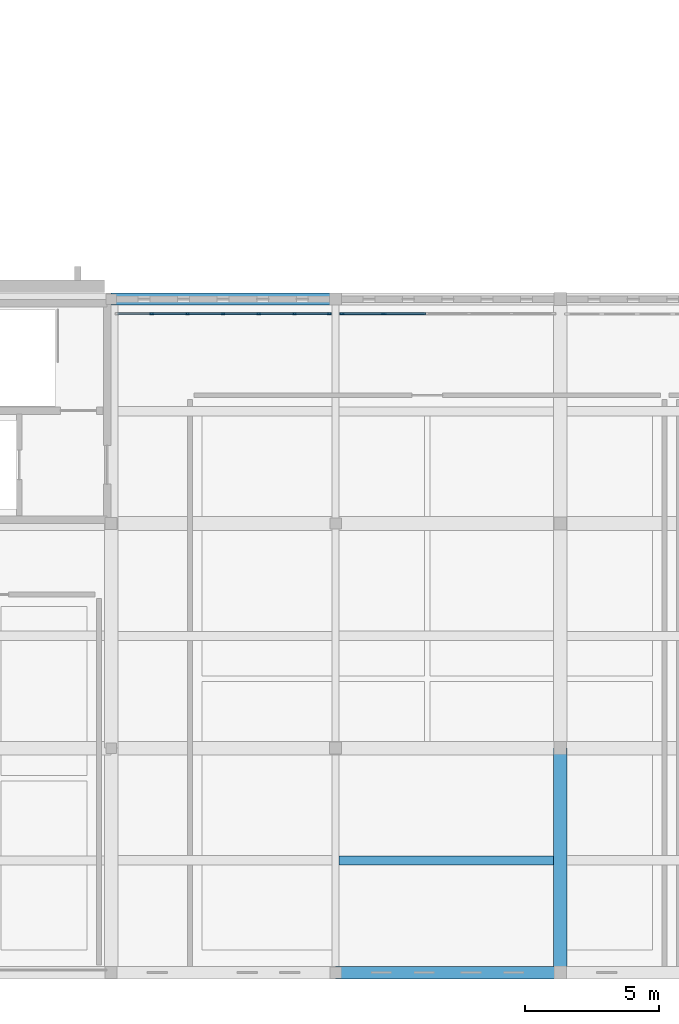
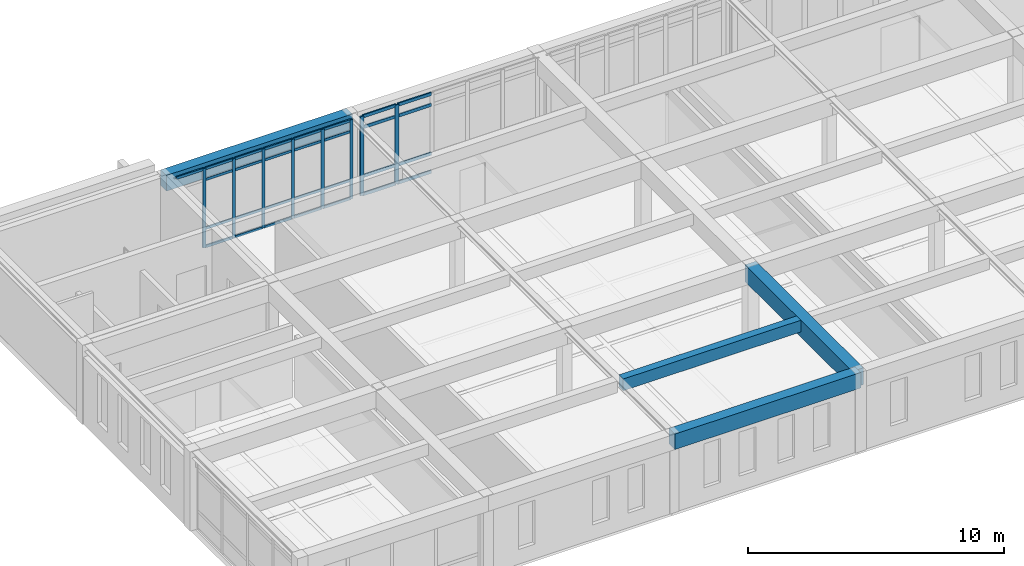
# One storey, part 15 of 110: 37 members, 4 beams, 2 elements without a shape of their own.
"""IFC4 building model written with IfcOpenShell, lengths in metres."""

from ifc_helpers import new_model, si_unit, direction, frame, origin, origin_2d, place, context, subcontext, project, spatial, rectangle, extrude, material, layer, layer_set, material_profile, profile_set, type_object, element, aggregate, save


model = new_model("IFC4")

# Units and contexts
model_context = context("Model", 3, precision=1e-05, world=origin(), true_north=direction((0.0, 1.0)))
body_context = subcontext(model_context, "Body", "Model", "MODEL_VIEW")
ifc_project = project(units=[si_unit("LENGTHUNIT", "METRE"), si_unit("AREAUNIT", "SQUARE_METRE"), si_unit("VOLUMEUNIT", "CUBIC_METRE"), si_unit("PLANEANGLEUNIT", "RADIAN"), si_unit("MASSUNIT", "GRAM", prefix="KILO")], contexts=[model_context])

# Site, building, storey
site_placement = place(None, origin())
site = spatial("IfcSite", under=ifc_project, at=site_placement, CompositionType="ELEMENT")
building_placement = place(site_placement, origin())
building = spatial("IfcBuilding", under=site, at=building_placement, Name="Kveldsbrygga Polytechnic", CompositionType="ELEMENT")
storey_placement = place(building_placement, frame((0.0, 0.0, 9.860107421875)))
storey = spatial("IfcBuildingStorey", under=building, at=storey_placement, Name="L02", CompositionType="ELEMENT", Elevation=9.860107421875)

# Beams
ifc_material_1 = material(Name="Concrete C35/45", Category="concrete")
ifc_material_profile_1 = material_profile(ifc_material_1, rectangle(XDim=0.449951171875, YDim=0.75, at=origin_2d()), Name="RC 450x750")
ifc_profile_set_1 = profile_set([ifc_material_profile_1], Name="Concrete C35/45")
beam_type_1 = type_object("IfcBeamType", Name="BM-RC-450x750", PredefinedType="BEAM", material=ifc_profile_set_1)
beam_1_placement = place(storey_placement, frame((84.0, 25.199951171875, 3.385009765625), z_axis=(1.0, 0.0, 0.0), x_axis=(0.0, 1.0, 0.0)))
element("IfcBeam", 1, at=beam_1_placement, inside=storey, type_object=beam_type_1, Name="Primary Beam BMX-L02-10to11-03", PredefinedType="BEAM", context=body_context, shape_type="SweptSolid", body=[
    extrude(rectangle(XDim=0.449951171875, YDim=0.75, at=origin_2d()), origin(), (0.0, 0.0, 1.0), 8.39990234375),
])
ifc_material_profile_2 = material_profile(ifc_material_1, rectangle(XDim=0.4599609375, YDim=0.739990234375, at=origin_2d()), Name="RC 460x740")
ifc_profile_set_2 = profile_set([ifc_material_profile_2], Name="Concrete C35/45")
beam_type_2 = type_object("IfcBeamType", Name="BM-RC-460x740", PredefinedType="BEAM", material=ifc_profile_set_2)
beam_2_placement = place(storey_placement, frame((92.39990234375, 0.0, 3.389892578125), z_axis=(1.0, 0.0, 0.0), x_axis=(0.0, 1.0, 0.0)))
element("IfcBeam", 2, at=beam_2_placement, inside=storey, type_object=beam_type_2, Name="Primary Beam BMX-L02-11to12-00", PredefinedType="BEAM", context=body_context, shape_type="SweptSolid", body=[
    extrude(rectangle(XDim=0.4599609375, YDim=0.739990234375, at=origin_2d()), origin(), (0.0, 0.0, 1.0), 8.400146484375),
])
ifc_material_profile_3 = material_profile(ifc_material_1, rectangle(XDim=0.5, YDim=0.800048828125, at=origin_2d()), Name="RC 500x800")
ifc_profile_set_3 = profile_set([ifc_material_profile_3], Name="Concrete C35/45")
beam_type_3 = type_object("IfcBeamType", Name="BM-RC-500x800", PredefinedType="BEAM", material=ifc_profile_set_3)
beam_3_placement = place(storey_placement, frame((100.800048828125, 0.0, 3.35986328125), z_axis=(0.0, 1.0, 0.0), x_axis=(-1.0, 0.0, 0.0)))
element("IfcBeam", 3, at=beam_3_placement, inside=storey, type_object=beam_type_3, Name="Primary Beam BMY-L02-12-00to01", PredefinedType="BEAM", context=body_context, shape_type="SweptSolid", body=[
    extrude(rectangle(XDim=0.5, YDim=0.800048828125, at=origin_2d()), origin(), (0.0, 0.0, 1.0), 8.39990234375),
])

# Curtain wall, members
ifc_material_2 = material(Name="Anodised aluminium AW-6060", Category="aluminium")
ifc_layer_1 = layer(ifc_material_2, 0.179931640625)
ifc_layer_set_1 = layer_set([ifc_layer_1], Name="Anodised aluminium AW-6060")
curtain_wall_type_1 = type_object("IfcCurtainWallType", Name="CW-CONC-A", PredefinedType="USERDEFINED", material=ifc_layer_set_1)
curtain_wall_1_placement = place(storey_placement, origin())
curtain_wall_1 = element("IfcCurtainWall", 4, at=curtain_wall_1_placement, inside=storey, type_object=curtain_wall_type_1, Name="Curtain Wall CW-L02-X-10-03", ObjectType="UNITISED CURTAIN WALL", PredefinedType="USERDEFINED")
ifc_material_profile_4 = material_profile(ifc_material_2, rectangle(XDim=0.06005859375, YDim=0.139892578125, at=origin_2d()), Name="ALU 60x140")
ifc_profile_set_4 = profile_set([ifc_material_profile_4], Name="Anodised aluminium AW-6060")
member_type_1 = type_object("IfcMemberType", Name="CW-MUL-140", PredefinedType="MULLION", material=ifc_profile_set_4)
member_1_placement = place(storey_placement, frame((85.519287109375, 24.64990234375, 0.0), z_axis=(0.0, 0.0, 1.0), x_axis=(0.0, 1.0, 0.0)))
member_1 = element("IfcMember", 5, at=member_1_placement, type_object=member_type_1, Name="CW-01 mullion 2", PredefinedType="MULLION", context=body_context, shape_type="SweptSolid", body=[
    extrude(rectangle(XDim=0.06005859375, YDim=0.139892578125, at=origin_2d()), origin(), (0.0, 0.0, 1.0), 3.77978515625),
])
member_2_placement = place(storey_placement, frame((86.853271484375, 24.64990234375, 0.0), z_axis=(0.0, 0.0, 1.0), x_axis=(0.0, 1.0, 0.0)))
member_2 = element("IfcMember", 6, at=member_2_placement, type_object=member_type_1, Name="CW-01 mullion 3", PredefinedType="MULLION", context=body_context, shape_type="SweptSolid", body=[
    extrude(rectangle(XDim=0.06005859375, YDim=0.139892578125, at=origin_2d()), origin(), (0.0, 0.0, 1.0), 3.77978515625),
])
member_3_placement = place(storey_placement, frame((88.1875, 24.64990234375, 0.0), z_axis=(0.0, 0.0, 1.0), x_axis=(0.0, 1.0, 0.0)))
member_3 = element("IfcMember", 7, at=member_3_placement, type_object=member_type_1, Name="CW-01 mullion 4", PredefinedType="MULLION", context=body_context, shape_type="SweptSolid", body=[
    extrude(rectangle(XDim=0.06005859375, YDim=0.139892578125, at=origin_2d()), origin(), (0.0, 0.0, 1.0), 3.77978515625),
])
member_4_placement = place(storey_placement, frame((89.521728515625, 24.64990234375, 0.0), z_axis=(0.0, 0.0, 1.0), x_axis=(0.0, 1.0, 0.0)))
member_4 = element("IfcMember", 8, at=member_4_placement, type_object=member_type_1, Name="CW-01 mullion 5", PredefinedType="MULLION", context=body_context, shape_type="SweptSolid", body=[
    extrude(rectangle(XDim=0.06005859375, YDim=0.139892578125, at=origin_2d()), origin(), (0.0, 0.0, 1.0), 3.77978515625),
])
member_5_placement = place(storey_placement, frame((90.855712890625, 24.64990234375, 0.0), z_axis=(0.0, 0.0, 1.0), x_axis=(0.0, 1.0, 0.0)))
member_5 = element("IfcMember", 9, at=member_5_placement, type_object=member_type_1, Name="CW-01 mullion 6", PredefinedType="MULLION", context=body_context, shape_type="SweptSolid", body=[
    extrude(rectangle(XDim=0.06005859375, YDim=0.139892578125, at=origin_2d()), origin(), (0.0, 0.0, 1.0), 3.77978515625),
])
member_6_placement = place(storey_placement, frame((92.159912109375, 24.64990234375, 0.0), z_axis=(0.0, 0.0, 1.0), x_axis=(0.0, 1.0, 0.0)))
member_6 = element("IfcMember", 10, at=member_6_placement, type_object=member_type_1, Name="CW-01 mullion 7", PredefinedType="MULLION", context=body_context, shape_type="SweptSolid", body=[
    extrude(rectangle(XDim=0.06005859375, YDim=0.139892578125, at=origin_2d()), origin(), (0.0, 0.0, 1.0), 3.77978515625),
])

ifc_layer_2 = layer(ifc_material_2, 0.199951171875)
ifc_layer_set_2 = layer_set([ifc_layer_2], Name="Anodised aluminium AW-6060")
curtain_wall_type_2 = type_object("IfcCurtainWallType", Name="CW-CONC-B", PredefinedType="USERDEFINED", material=ifc_layer_set_2)
curtain_wall_2_placement = place(storey_placement, origin())
curtain_wall_2 = element("IfcCurtainWall", 11, at=curtain_wall_2_placement, inside=storey, type_object=curtain_wall_type_2, Name="Curtain Wall CW-L02-X-11-03", ObjectType="UNITISED CURTAIN WALL", PredefinedType="USERDEFINED")
ifc_material_profile_5 = material_profile(ifc_material_2, rectangle(XDim=0.06005859375, YDim=0.179931640625, at=origin_2d()), Name="ALU 60x180")
ifc_profile_set_5 = profile_set([ifc_material_profile_5], Name="Anodised aluminium AW-6060")
member_type_2 = type_object("IfcMemberType", Name="CW-MUL-180", PredefinedType="MULLION", material=ifc_profile_set_5)
member_7_placement = place(storey_placement, frame((92.639892578125, 24.64990234375, 0.0), z_axis=(0.0, 0.0, 1.0), x_axis=(0.0, 1.0, 0.0)))
member_7 = element("IfcMember", 12, at=member_7_placement, type_object=member_type_2, Name="CW-02 mullion 1", PredefinedType="MULLION", context=body_context, shape_type="SweptSolid", body=[
    extrude(rectangle(XDim=0.06005859375, YDim=0.179931640625, at=origin_2d()), origin(), (0.0, 0.0, 1.0), 3.77978515625),
])
member_8_placement = place(storey_placement, frame((94.202880859375, 24.64990234375, 0.0), z_axis=(0.0, 0.0, 1.0), x_axis=(0.0, 1.0, 0.0)))
member_8 = element("IfcMember", 13, at=member_8_placement, type_object=member_type_2, Name="CW-02 mullion 2", PredefinedType="MULLION", context=body_context, shape_type="SweptSolid", body=[
    extrude(rectangle(XDim=0.06005859375, YDim=0.179931640625, at=origin_2d()), origin(), (0.0, 0.0, 1.0), 3.77978515625),
])

# Member
ifc_material_profile_6 = material_profile(ifc_material_2, rectangle(XDim=0.06005859375, YDim=0.1201171875, at=origin_2d()), Name="ALU 60x120")
ifc_profile_set_6 = profile_set([ifc_material_profile_6], Name="Anodised aluminium AW-6060")
member_type_3 = type_object("IfcMemberType", Name="CW-TRN-120", PredefinedType="USERDEFINED", material=ifc_profile_set_6)
member_9_placement = place(storey_placement, frame((84.2451171875, 24.64990234375, 3.75), z_axis=(1.0, 0.0, 0.0), x_axis=(0.0, 1.0, 0.0)))
member_9 = element("IfcMember", 14, at=member_9_placement, type_object=member_type_3, Name="CW-01 transom 1.4", ObjectType="TRANSOM", PredefinedType="USERDEFINED", context=body_context, shape_type="SweptSolid", body=[
    extrude(rectangle(XDim=0.06005859375, YDim=0.1201171875, at=origin_2d()), origin(), (0.0, 0.0, 1.0), 1.244140625),
])

member_10_placement = place(storey_placement, frame((85.549072265625, 24.64990234375, 0.02978515625), z_axis=(1.0, 0.0, 0.0), x_axis=(0.0, 1.0, 0.0)))
member_10 = element("IfcMember", 15, at=member_10_placement, type_object=member_type_3, Name="CW-01 transom 2.1", ObjectType="TRANSOM", PredefinedType="USERDEFINED", context=body_context, shape_type="SweptSolid", body=[
    extrude(rectangle(XDim=0.06005859375, YDim=0.1201171875, at=origin_2d()), origin(), (0.0, 0.0, 1.0), 1.274169921875),
])

member_11_placement = place(storey_placement, frame((85.549072265625, 24.64990234375, 0.89990234375), z_axis=(1.0, 0.0, 0.0), x_axis=(0.0, 1.0, 0.0)))
member_11 = element("IfcMember", 16, at=member_11_placement, type_object=member_type_3, Name="CW-01 transom 2.2", ObjectType="TRANSOM", PredefinedType="USERDEFINED", context=body_context, shape_type="SweptSolid", body=[
    extrude(rectangle(XDim=0.06005859375, YDim=0.1201171875, at=origin_2d()), origin(), (0.0, 0.0, 1.0), 1.274169921875),
])

member_12_placement = place(storey_placement, frame((85.549072265625, 24.64990234375, 3.22998046875), z_axis=(1.0, 0.0, 0.0), x_axis=(0.0, 1.0, 0.0)))
member_12 = element("IfcMember", 17, at=member_12_placement, type_object=member_type_3, Name="CW-01 transom 2.3", ObjectType="TRANSOM", PredefinedType="USERDEFINED", context=body_context, shape_type="SweptSolid", body=[
    extrude(rectangle(XDim=0.06005859375, YDim=0.1201171875, at=origin_2d()), origin(), (0.0, 0.0, 1.0), 1.274169921875),
])

member_13_placement = place(storey_placement, frame((85.549072265625, 24.64990234375, 3.75), z_axis=(1.0, 0.0, 0.0), x_axis=(0.0, 1.0, 0.0)))
member_13 = element("IfcMember", 18, at=member_13_placement, type_object=member_type_3, Name="CW-01 transom 2.4", ObjectType="TRANSOM", PredefinedType="USERDEFINED", context=body_context, shape_type="SweptSolid", body=[
    extrude(rectangle(XDim=0.06005859375, YDim=0.1201171875, at=origin_2d()), origin(), (0.0, 0.0, 1.0), 1.274169921875),
])

member_14_placement = place(storey_placement, frame((86.88330078125, 24.64990234375, 0.02978515625), z_axis=(1.0, 0.0, 0.0), x_axis=(0.0, 1.0, 0.0)))
member_14 = element("IfcMember", 19, at=member_14_placement, type_object=member_type_3, Name="CW-01 transom 3.1", ObjectType="TRANSOM", PredefinedType="USERDEFINED", context=body_context, shape_type="SweptSolid", body=[
    extrude(rectangle(XDim=0.06005859375, YDim=0.1201171875, at=origin_2d()), origin(), (0.0, 0.0, 1.0), 1.274169921875),
])

member_15_placement = place(storey_placement, frame((86.88330078125, 24.64990234375, 0.89990234375), z_axis=(1.0, 0.0, 0.0), x_axis=(0.0, 1.0, 0.0)))
member_15 = element("IfcMember", 20, at=member_15_placement, type_object=member_type_3, Name="CW-01 transom 3.2", ObjectType="TRANSOM", PredefinedType="USERDEFINED", context=body_context, shape_type="SweptSolid", body=[
    extrude(rectangle(XDim=0.06005859375, YDim=0.1201171875, at=origin_2d()), origin(), (0.0, 0.0, 1.0), 1.274169921875),
])

member_16_placement = place(storey_placement, frame((86.88330078125, 24.64990234375, 3.22998046875), z_axis=(1.0, 0.0, 0.0), x_axis=(0.0, 1.0, 0.0)))
member_16 = element("IfcMember", 21, at=member_16_placement, type_object=member_type_3, Name="CW-01 transom 3.3", ObjectType="TRANSOM", PredefinedType="USERDEFINED", context=body_context, shape_type="SweptSolid", body=[
    extrude(rectangle(XDim=0.06005859375, YDim=0.1201171875, at=origin_2d()), origin(), (0.0, 0.0, 1.0), 1.274169921875),
])

member_17_placement = place(storey_placement, frame((86.88330078125, 24.64990234375, 3.75), z_axis=(1.0, 0.0, 0.0), x_axis=(0.0, 1.0, 0.0)))
member_17 = element("IfcMember", 22, at=member_17_placement, type_object=member_type_3, Name="CW-01 transom 3.4", ObjectType="TRANSOM", PredefinedType="USERDEFINED", context=body_context, shape_type="SweptSolid", body=[
    extrude(rectangle(XDim=0.06005859375, YDim=0.1201171875, at=origin_2d()), origin(), (0.0, 0.0, 1.0), 1.274169921875),
])

member_18_placement = place(storey_placement, frame((88.217529296875, 24.64990234375, 0.02978515625), z_axis=(1.0, 0.0, 0.0), x_axis=(0.0, 1.0, 0.0)))
member_18 = element("IfcMember", 23, at=member_18_placement, type_object=member_type_3, Name="CW-01 transom 4.1", ObjectType="TRANSOM", PredefinedType="USERDEFINED", context=body_context, shape_type="SweptSolid", body=[
    extrude(rectangle(XDim=0.06005859375, YDim=0.1201171875, at=origin_2d()), origin(), (0.0, 0.0, 1.0), 1.274169921875),
])

member_19_placement = place(storey_placement, frame((88.217529296875, 24.64990234375, 0.89990234375), z_axis=(1.0, 0.0, 0.0), x_axis=(0.0, 1.0, 0.0)))
member_19 = element("IfcMember", 24, at=member_19_placement, type_object=member_type_3, Name="CW-01 transom 4.2", ObjectType="TRANSOM", PredefinedType="USERDEFINED", context=body_context, shape_type="SweptSolid", body=[
    extrude(rectangle(XDim=0.06005859375, YDim=0.1201171875, at=origin_2d()), origin(), (0.0, 0.0, 1.0), 1.274169921875),
])

member_20_placement = place(storey_placement, frame((88.217529296875, 24.64990234375, 3.22998046875), z_axis=(1.0, 0.0, 0.0), x_axis=(0.0, 1.0, 0.0)))
member_20 = element("IfcMember", 25, at=member_20_placement, type_object=member_type_3, Name="CW-01 transom 4.3", ObjectType="TRANSOM", PredefinedType="USERDEFINED", context=body_context, shape_type="SweptSolid", body=[
    extrude(rectangle(XDim=0.06005859375, YDim=0.1201171875, at=origin_2d()), origin(), (0.0, 0.0, 1.0), 1.274169921875),
])

member_21_placement = place(storey_placement, frame((88.217529296875, 24.64990234375, 3.75), z_axis=(1.0, 0.0, 0.0), x_axis=(0.0, 1.0, 0.0)))
member_21 = element("IfcMember", 26, at=member_21_placement, type_object=member_type_3, Name="CW-01 transom 4.4", ObjectType="TRANSOM", PredefinedType="USERDEFINED", context=body_context, shape_type="SweptSolid", body=[
    extrude(rectangle(XDim=0.06005859375, YDim=0.1201171875, at=origin_2d()), origin(), (0.0, 0.0, 1.0), 1.274169921875),
])

member_22_placement = place(storey_placement, frame((89.5517578125, 24.64990234375, 0.02978515625), z_axis=(1.0, 0.0, 0.0), x_axis=(0.0, 1.0, 0.0)))
member_22 = element("IfcMember", 27, at=member_22_placement, type_object=member_type_3, Name="CW-01 transom 5.1", ObjectType="TRANSOM", PredefinedType="USERDEFINED", context=body_context, shape_type="SweptSolid", body=[
    extrude(rectangle(XDim=0.06005859375, YDim=0.1201171875, at=origin_2d()), origin(), (0.0, 0.0, 1.0), 1.274169921875),
])

member_23_placement = place(storey_placement, frame((89.5517578125, 24.64990234375, 0.89990234375), z_axis=(1.0, 0.0, 0.0), x_axis=(0.0, 1.0, 0.0)))
member_23 = element("IfcMember", 28, at=member_23_placement, type_object=member_type_3, Name="CW-01 transom 5.2", ObjectType="TRANSOM", PredefinedType="USERDEFINED", context=body_context, shape_type="SweptSolid", body=[
    extrude(rectangle(XDim=0.06005859375, YDim=0.1201171875, at=origin_2d()), origin(), (0.0, 0.0, 1.0), 1.274169921875),
])

member_24_placement = place(storey_placement, frame((89.5517578125, 24.64990234375, 3.22998046875), z_axis=(1.0, 0.0, 0.0), x_axis=(0.0, 1.0, 0.0)))
member_24 = element("IfcMember", 29, at=member_24_placement, type_object=member_type_3, Name="CW-01 transom 5.3", ObjectType="TRANSOM", PredefinedType="USERDEFINED", context=body_context, shape_type="SweptSolid", body=[
    extrude(rectangle(XDim=0.06005859375, YDim=0.1201171875, at=origin_2d()), origin(), (0.0, 0.0, 1.0), 1.274169921875),
])

member_25_placement = place(storey_placement, frame((89.5517578125, 24.64990234375, 3.75), z_axis=(1.0, 0.0, 0.0), x_axis=(0.0, 1.0, 0.0)))
member_25 = element("IfcMember", 30, at=member_25_placement, type_object=member_type_3, Name="CW-01 transom 5.4", ObjectType="TRANSOM", PredefinedType="USERDEFINED", context=body_context, shape_type="SweptSolid", body=[
    extrude(rectangle(XDim=0.06005859375, YDim=0.1201171875, at=origin_2d()), origin(), (0.0, 0.0, 1.0), 1.274169921875),
])

member_26_placement = place(storey_placement, frame((90.8857421875, 24.64990234375, 0.02978515625), z_axis=(1.0, 0.0, 0.0), x_axis=(0.0, 1.0, 0.0)))
member_26 = element("IfcMember", 31, at=member_26_placement, type_object=member_type_3, Name="CW-01 transom 6.1", ObjectType="TRANSOM", PredefinedType="USERDEFINED", context=body_context, shape_type="SweptSolid", body=[
    extrude(rectangle(XDim=0.06005859375, YDim=0.1201171875, at=origin_2d()), origin(), (0.0, 0.0, 1.0), 1.244140625),
])

member_27_placement = place(storey_placement, frame((90.8857421875, 24.64990234375, 0.89990234375), z_axis=(1.0, 0.0, 0.0), x_axis=(0.0, 1.0, 0.0)))
member_27 = element("IfcMember", 32, at=member_27_placement, type_object=member_type_3, Name="CW-01 transom 6.2", ObjectType="TRANSOM", PredefinedType="USERDEFINED", context=body_context, shape_type="SweptSolid", body=[
    extrude(rectangle(XDim=0.06005859375, YDim=0.1201171875, at=origin_2d()), origin(), (0.0, 0.0, 1.0), 1.244140625),
])

member_28_placement = place(storey_placement, frame((90.8857421875, 24.64990234375, 3.22998046875), z_axis=(1.0, 0.0, 0.0), x_axis=(0.0, 1.0, 0.0)))
member_28 = element("IfcMember", 33, at=member_28_placement, type_object=member_type_3, Name="CW-01 transom 6.3", ObjectType="TRANSOM", PredefinedType="USERDEFINED", context=body_context, shape_type="SweptSolid", body=[
    extrude(rectangle(XDim=0.06005859375, YDim=0.1201171875, at=origin_2d()), origin(), (0.0, 0.0, 1.0), 1.244140625),
])

member_29_placement = place(storey_placement, frame((90.8857421875, 24.64990234375, 3.75), z_axis=(1.0, 0.0, 0.0), x_axis=(0.0, 1.0, 0.0)))
member_29 = element("IfcMember", 34, at=member_29_placement, type_object=member_type_3, Name="CW-01 transom 6.4", ObjectType="TRANSOM", PredefinedType="USERDEFINED", context=body_context, shape_type="SweptSolid", body=[
    extrude(rectangle(XDim=0.06005859375, YDim=0.1201171875, at=origin_2d()), origin(), (0.0, 0.0, 1.0), 1.244140625),
])

aggregate(curtain_wall_1, [member_1, member_2, member_3, member_4, member_5, member_6, member_9, member_10, member_11, member_12, member_13, member_14, member_15, member_16, member_17, member_18, member_19, member_20, member_21, member_22, member_23, member_24, member_25, member_26, member_27, member_28, member_29])

ifc_material_profile_7 = material_profile(ifc_material_2, rectangle(XDim=0.06005859375, YDim=0.14990234375, at=origin_2d()), Name="ALU 60x150")
ifc_profile_set_7 = profile_set([ifc_material_profile_7], Name="Anodised aluminium AW-6060")
member_type_4 = type_object("IfcMemberType", Name="CW-TRN-150", PredefinedType="USERDEFINED", material=ifc_profile_set_7)
member_30_placement = place(storey_placement, frame((92.669921875, 24.64990234375, 0.02978515625), z_axis=(1.0, 0.0, 0.0), x_axis=(0.0, 1.0, 0.0)))
member_30 = element("IfcMember", 35, at=member_30_placement, type_object=member_type_4, Name="CW-02 transom 1.1", ObjectType="TRANSOM", PredefinedType="USERDEFINED", context=body_context, shape_type="SweptSolid", body=[
    extrude(rectangle(XDim=0.06005859375, YDim=0.14990234375, at=origin_2d()), origin(), (0.0, 0.0, 1.0), 1.503173828125),
])

member_31_placement = place(storey_placement, frame((92.669921875, 24.64990234375, 0.89990234375), z_axis=(1.0, 0.0, 0.0), x_axis=(0.0, 1.0, 0.0)))
member_31 = element("IfcMember", 36, at=member_31_placement, type_object=member_type_4, Name="CW-02 transom 1.2", ObjectType="TRANSOM", PredefinedType="USERDEFINED", context=body_context, shape_type="SweptSolid", body=[
    extrude(rectangle(XDim=0.06005859375, YDim=0.14990234375, at=origin_2d()), origin(), (0.0, 0.0, 1.0), 1.503173828125),
])

member_32_placement = place(storey_placement, frame((92.669921875, 24.64990234375, 3.22998046875), z_axis=(1.0, 0.0, 0.0), x_axis=(0.0, 1.0, 0.0)))
member_32 = element("IfcMember", 37, at=member_32_placement, type_object=member_type_4, Name="CW-02 transom 1.3", ObjectType="TRANSOM", PredefinedType="USERDEFINED", context=body_context, shape_type="SweptSolid", body=[
    extrude(rectangle(XDim=0.06005859375, YDim=0.14990234375, at=origin_2d()), origin(), (0.0, 0.0, 1.0), 1.503173828125),
])

member_33_placement = place(storey_placement, frame((92.669921875, 24.64990234375, 3.75), z_axis=(1.0, 0.0, 0.0), x_axis=(0.0, 1.0, 0.0)))
member_33 = element("IfcMember", 38, at=member_33_placement, type_object=member_type_4, Name="CW-02 transom 1.4", ObjectType="TRANSOM", PredefinedType="USERDEFINED", context=body_context, shape_type="SweptSolid", body=[
    extrude(rectangle(XDim=0.06005859375, YDim=0.14990234375, at=origin_2d()), origin(), (0.0, 0.0, 1.0), 1.503173828125),
])

member_34_placement = place(storey_placement, frame((94.23291015625, 24.64990234375, 0.02978515625), z_axis=(1.0, 0.0, 0.0), x_axis=(0.0, 1.0, 0.0)))
member_34 = element("IfcMember", 39, at=member_34_placement, type_object=member_type_4, Name="CW-02 transom 2.1", ObjectType="TRANSOM", PredefinedType="USERDEFINED", context=body_context, shape_type="SweptSolid", body=[
    extrude(rectangle(XDim=0.06005859375, YDim=0.14990234375, at=origin_2d()), origin(), (0.0, 0.0, 1.0), 1.533203125),
])

member_35_placement = place(storey_placement, frame((94.23291015625, 24.64990234375, 0.89990234375), z_axis=(1.0, 0.0, 0.0), x_axis=(0.0, 1.0, 0.0)))
member_35 = element("IfcMember", 40, at=member_35_placement, type_object=member_type_4, Name="CW-02 transom 2.2", ObjectType="TRANSOM", PredefinedType="USERDEFINED", context=body_context, shape_type="SweptSolid", body=[
    extrude(rectangle(XDim=0.06005859375, YDim=0.14990234375, at=origin_2d()), origin(), (0.0, 0.0, 1.0), 1.533203125),
])

member_36_placement = place(storey_placement, frame((94.23291015625, 24.64990234375, 3.22998046875), z_axis=(1.0, 0.0, 0.0), x_axis=(0.0, 1.0, 0.0)))
member_36 = element("IfcMember", 41, at=member_36_placement, type_object=member_type_4, Name="CW-02 transom 2.3", ObjectType="TRANSOM", PredefinedType="USERDEFINED", context=body_context, shape_type="SweptSolid", body=[
    extrude(rectangle(XDim=0.06005859375, YDim=0.14990234375, at=origin_2d()), origin(), (0.0, 0.0, 1.0), 1.533203125),
])

member_37_placement = place(storey_placement, frame((94.23291015625, 24.64990234375, 3.75), z_axis=(1.0, 0.0, 0.0), x_axis=(0.0, 1.0, 0.0)))
member_37 = element("IfcMember", 42, at=member_37_placement, type_object=member_type_4, Name="CW-02 transom 2.4", ObjectType="TRANSOM", PredefinedType="USERDEFINED", context=body_context, shape_type="SweptSolid", body=[
    extrude(rectangle(XDim=0.06005859375, YDim=0.14990234375, at=origin_2d()), origin(), (0.0, 0.0, 1.0), 1.533203125),
])

aggregate(curtain_wall_2, [member_7, member_8, member_30, member_31, member_32, member_33, member_34, member_35, member_36, member_37])

# Beam
ifc_material_profile_8 = material_profile(ifc_material_1, rectangle(XDim=0.340087890625, YDim=0.56005859375, at=origin_2d()), Name="RC 340x560")
ifc_profile_set_8 = profile_set([ifc_material_profile_8], Name="Concrete C35/45")
beam_type_4 = type_object("IfcBeamType", Name="JST-RC-340x560", PredefinedType="JOIST", material=ifc_profile_set_8)
beam_4_placement = place(storey_placement, frame((92.530029296875, 4.199951171875, 3.47998046875), z_axis=(1.0, 0.0, 0.0), x_axis=(0.0, 1.0, 0.0)))
element("IfcBeam", 43, at=beam_4_placement, inside=storey, type_object=beam_type_4, Name="Secondary Joist JST-L02-11-00", PredefinedType="JOIST", context=body_context, shape_type="SweptSolid", body=[
    extrude(rectangle(XDim=0.340087890625, YDim=0.56005859375, at=origin_2d()), origin(), (0.0, 0.0, 1.0), 8.02001953125),
])

save(model, "model.ifc")
